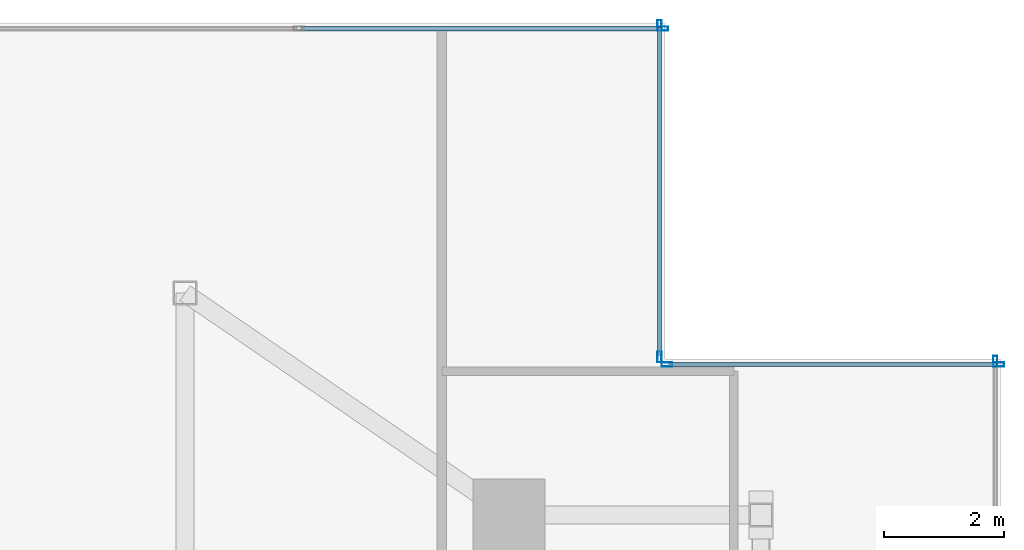
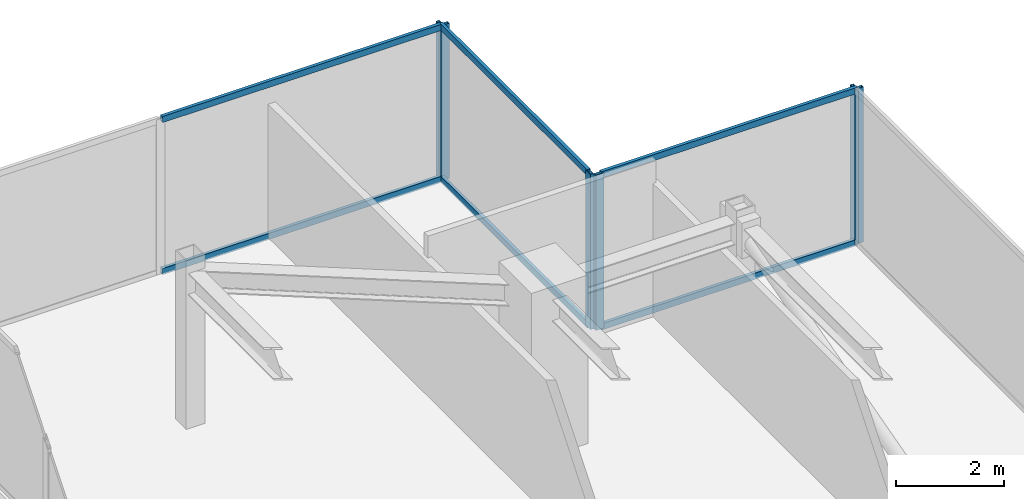
# One storey, part 21 of 25: 12 members, 4 elements without a shape of their own.
"""IFC4 building model written with IfcOpenShell, lengths in metres."""

from ifc_helpers import new_model, si_unit, direction, frame, origin, origin_2d, place, context, subcontext, project, spatial, hollow_rectangle, extrude, source, transform, mapped, material, material_profile, profile_set, type_object, type_shapes, element, aggregate, save


model = new_model("IFC4")

# Units and contexts
model_context = context("Model", 3, precision=1e-05, world=origin(), true_north=direction((0.0, 1.0)))
body_context = subcontext(model_context, "Body", "Model", "MODEL_VIEW")
ifc_project = project(units=[si_unit("LENGTHUNIT", "METRE"), si_unit("AREAUNIT", "SQUARE_METRE"), si_unit("VOLUMEUNIT", "CUBIC_METRE"), si_unit("PLANEANGLEUNIT", "RADIAN"), si_unit("MASSUNIT", "GRAM", prefix="KILO")], contexts=[model_context])

# Site, building, storey
site_placement = place(None, origin())
site = spatial("IfcSite", under=ifc_project, at=site_placement, CompositionType="ELEMENT")
building_placement = place(site_placement, origin())
building = spatial("IfcBuilding", under=site, at=building_placement, Name="Krantzveldt Concourse Tower", CompositionType="ELEMENT")
storey_placement = place(building_placement, frame((0.0, 0.0, 367.050048828125)))
storey = spatial("IfcBuildingStorey", under=building, at=storey_placement, Name="L90", CompositionType="ELEMENT", Elevation=367.050048828125)

# Curtain wall, member
ifc_material = material(Name="Anodised aluminium 6063-T6", Category="aluminium")
curtain_wall_type = type_object("IfcCurtainWallType", Name="CW7", PredefinedType="USERDEFINED", material=ifc_material)
curtain_wall_1_placement = place(storey_placement, origin())
curtain_wall_1 = element("IfcCurtainWall", 1, at=curtain_wall_1_placement, inside=storey, type_object=curtain_wall_type, Name="CW-L90-EAST-03", ObjectType="UNITISED CURTAIN WALL", PredefinedType="USERDEFINED")
ifc_material_profile_1 = material_profile(ifc_material, hollow_rectangle(XDim=0.070068359375, YDim=0.179931640625, WallThickness=0.0048828125, at=origin_2d()), Name="Anodised aluminium 6063-T6", Category="aluminium")
ifc_profile_set_1 = profile_set([ifc_material_profile_1], Name="Anodised aluminium 6063-T6 - ALU-MULL 180x70x5")
member_type_1 = type_object("IfcMemberType", Name="CW-MUL-180", PredefinedType="MULLION", material=ifc_profile_set_1)
shared_shape_1 = source(origin(), body_context, "Body", "SweptSolid", [
    extrude(hollow_rectangle(XDim=0.070068359375, YDim=0.179931640625, WallThickness=0.0048828125, at=origin_2d()), origin(), (0.0, 0.0, 1.0), 3.5),
])
type_shapes(member_type_1, [shared_shape_1])
member_1_placement = place(storey_placement, frame((54.909912109375, 40.06494140625, 0.0), z_axis=(0.0, 0.0, 1.0), x_axis=(-1.0, 0.0, 0.0)))
member_1 = element("IfcMember", 2, at=member_1_placement, type_object=member_type_1, Name="CW-CRN mullion 5", PredefinedType="MULLION", context=body_context, shape_type="MappedRepresentation", body=[
    mapped(shared_shape_1, transform((0.0, 0.0, 0.0), x_axis=(1.0, 0.0, 0.0), y_axis=(0.0, 1.0, 0.0), z_axis=(0.0, 0.0, 1.0), scale=1.0)),
])
aggregate(curtain_wall_1, [member_1])

# Curtain wall, members
curtain_wall_2_placement = place(storey_placement, origin())
curtain_wall_2 = element("IfcCurtainWall", 3, at=curtain_wall_2_placement, inside=storey, type_object=curtain_wall_type, Name="CW-L90-EAST-04", ObjectType="UNITISED CURTAIN WALL", PredefinedType="USERDEFINED")
member_2_placement = place(storey_placement, frame((54.965087890625, 40.010009765625, 0.0), z_axis=(0.0, 0.0, 1.0), x_axis=(0.0, -1.0, 0.0)))
member_2 = element("IfcMember", 4, at=member_2_placement, type_object=member_type_1, Name="CW-CRN mullion 1", PredefinedType="MULLION", context=body_context, shape_type="MappedRepresentation", body=[
    mapped(shared_shape_1, transform((0.0, 0.0, 0.0), x_axis=(1.0, 0.0, 0.0), y_axis=(0.0, 1.0, 0.0), z_axis=(0.0, 0.0, 1.0), scale=1.0)),
])
member_3_placement = place(storey_placement, frame((49.43505859375, 40.010009765625, 0.0), z_axis=(0.0, 0.0, 1.0), x_axis=(0.0, -1.0, 0.0)))
member_3 = element("IfcMember", 5, at=member_3_placement, type_object=member_type_1, Name="CW-CRN mullion 2", PredefinedType="MULLION", context=body_context, shape_type="MappedRepresentation", body=[
    mapped(shared_shape_1, transform((0.0, 0.0, 0.0), x_axis=(1.0, 0.0, 0.0), y_axis=(0.0, 1.0, 0.0), z_axis=(0.0, 0.0, 1.0), scale=1.0)),
])

curtain_wall_3_placement = place(storey_placement, origin())
curtain_wall_3 = element("IfcCurtainWall", 6, at=curtain_wall_3_placement, inside=storey, type_object=curtain_wall_type, Name="CW-L90-EAST-05", ObjectType="UNITISED CURTAIN WALL", PredefinedType="USERDEFINED")
member_4_placement = place(storey_placement, frame((49.31005859375, 40.135009765625, 0.0), z_axis=(0.0, 0.0, 1.0), x_axis=(-1.0, 0.0, 0.0)))
member_4 = element("IfcMember", 7, at=member_4_placement, type_object=member_type_1, Name="CW-CRN mullion 1", PredefinedType="MULLION", context=body_context, shape_type="MappedRepresentation", body=[
    mapped(shared_shape_1, transform((0.0, 0.0, 0.0), x_axis=(1.0, 0.0, 0.0), y_axis=(0.0, 1.0, 0.0), z_axis=(0.0, 0.0, 1.0), scale=1.0)),
])
member_5_placement = place(storey_placement, frame((49.31005859375, 45.6650390625, 0.0), z_axis=(0.0, 0.0, 1.0), x_axis=(-1.0, 0.0, 0.0)))
member_5 = element("IfcMember", 8, at=member_5_placement, type_object=member_type_1, Name="CW-CRN mullion 2", PredefinedType="MULLION", context=body_context, shape_type="MappedRepresentation", body=[
    mapped(shared_shape_1, transform((0.0, 0.0, 0.0), x_axis=(1.0, 0.0, 0.0), y_axis=(0.0, 1.0, 0.0), z_axis=(0.0, 0.0, 1.0), scale=1.0)),
])

# Curtain wall, member
curtain_wall_4_placement = place(storey_placement, origin())
curtain_wall_4 = element("IfcCurtainWall", 9, at=curtain_wall_4_placement, inside=storey, type_object=curtain_wall_type, Name="CW-L90-EAST-06", ObjectType="UNITISED CURTAIN WALL", PredefinedType="USERDEFINED")
member_6_placement = place(storey_placement, frame((49.364990234375, 45.610107421875, 0.0), z_axis=(0.0, 0.0, 1.0), x_axis=(0.0, -1.0, 0.0)))
member_6 = element("IfcMember", 10, at=member_6_placement, type_object=member_type_1, Name="CW-CRN mullion 1", PredefinedType="MULLION", context=body_context, shape_type="MappedRepresentation", body=[
    mapped(shared_shape_1, transform((0.0, 0.0, 0.0), x_axis=(1.0, 0.0, 0.0), y_axis=(0.0, 1.0, 0.0), z_axis=(0.0, 0.0, 1.0), scale=1.0)),
])

# Member
ifc_material_profile_2 = material_profile(ifc_material, hollow_rectangle(XDim=0.070068359375, YDim=0.139892578125, WallThickness=0.0048828125, at=origin_2d()), Name="Anodised aluminium 6063-T6", Category="aluminium")
ifc_profile_set_2 = profile_set([ifc_material_profile_2], Name="Anodised aluminium 6063-T6 - ALU-TRAN 140x70x5")
member_type_2 = type_object("IfcMemberType", Name="CW-TRN-150", PredefinedType="USERDEFINED", material=ifc_profile_set_2)
shared_shape_2 = source(origin(), body_context, "Body", "SweptSolid", [
    extrude(hollow_rectangle(XDim=0.070068359375, YDim=0.139892578125, WallThickness=0.0048828125, at=origin_2d()), origin(), (0.0, 0.0, 1.0), 5.4599609375),
])
member_7_placement = place(storey_placement, frame((54.929931640625, 40.010009765625, 0.034912109375), z_axis=(-1.0, 0.0, 0.0), x_axis=(0.0, -1.0, 0.0)))
member_7 = element("IfcMember", 11, at=member_7_placement, type_object=member_type_2, Name="CW-CRN transom 1.1", ObjectType="TRANSOM", PredefinedType="USERDEFINED", context=body_context, shape_type="MappedRepresentation", body=[
    mapped(shared_shape_2, transform((0.0, 0.0, 0.0), x_axis=(1.0, 0.0, 0.0), y_axis=(0.0, 1.0, 0.0), z_axis=(0.0, 0.0, 1.0), scale=1.0)),
])

member_8_placement = place(storey_placement, frame((54.929931640625, 40.010009765625, 3.46484375), z_axis=(-1.0, 0.0, 0.0), x_axis=(0.0, -1.0, 0.0)))
member_8 = element("IfcMember", 12, at=member_8_placement, type_object=member_type_2, Name="CW-CRN transom 1.2", ObjectType="TRANSOM", PredefinedType="USERDEFINED", context=body_context, shape_type="MappedRepresentation", body=[
    mapped(shared_shape_2, transform((0.0, 0.0, 0.0), x_axis=(1.0, 0.0, 0.0), y_axis=(0.0, 1.0, 0.0), z_axis=(0.0, 0.0, 1.0), scale=1.0)),
])

aggregate(curtain_wall_2, [member_2, member_3, member_7, member_8])

member_9_placement = place(storey_placement, frame((49.31005859375, 40.169921875, 0.034912109375), z_axis=(0.0, 1.0, 0.0), x_axis=(-1.0, 0.0, 0.0)))
member_9 = element("IfcMember", 13, at=member_9_placement, type_object=member_type_2, Name="CW-CRN transom 1.1", ObjectType="TRANSOM", PredefinedType="USERDEFINED", context=body_context, shape_type="MappedRepresentation", body=[
    mapped(shared_shape_2, transform((0.0, 0.0, 0.0), x_axis=(1.0, 0.0, 0.0), y_axis=(0.0, 1.0, 0.0), z_axis=(0.0, 0.0, 1.0), scale=1.0)),
])

member_10_placement = place(storey_placement, frame((49.31005859375, 40.169921875, 3.46484375), z_axis=(0.0, 1.0, 0.0), x_axis=(-1.0, 0.0, 0.0)))
member_10 = element("IfcMember", 14, at=member_10_placement, type_object=member_type_2, Name="CW-CRN transom 1.2", ObjectType="TRANSOM", PredefinedType="USERDEFINED", context=body_context, shape_type="MappedRepresentation", body=[
    mapped(shared_shape_2, transform((0.0, 0.0, 0.0), x_axis=(1.0, 0.0, 0.0), y_axis=(0.0, 1.0, 0.0), z_axis=(0.0, 0.0, 1.0), scale=1.0)),
])

aggregate(curtain_wall_3, [member_4, member_5, member_9, member_10])

shared_shape_3 = source(origin(), body_context, "Body", "SweptSolid", [
    extrude(hollow_rectangle(XDim=0.070068359375, YDim=0.139892578125, WallThickness=0.0048828125, at=origin_2d()), origin(), (0.0, 0.0, 1.0), 5.9951171875),
])
type_shapes(member_type_2, [shared_shape_2, shared_shape_3])
member_11_placement = place(storey_placement, frame((49.330078125, 45.610107421875, 0.034912109375), z_axis=(-1.0, 0.0, 0.0), x_axis=(0.0, -1.0, 0.0)))
member_11 = element("IfcMember", 15, at=member_11_placement, type_object=member_type_2, Name="CW-CRN transom 1.1", ObjectType="TRANSOM", PredefinedType="USERDEFINED", context=body_context, shape_type="MappedRepresentation", body=[
    mapped(shared_shape_3, transform((0.0, 0.0, 0.0), x_axis=(1.0, 0.0, 0.0), y_axis=(0.0, 1.0, 0.0), z_axis=(0.0, 0.0, 1.0), scale=1.0)),
])

member_12_placement = place(storey_placement, frame((49.330078125, 45.610107421875, 3.46484375), z_axis=(-1.0, 0.0, 0.0), x_axis=(0.0, -1.0, 0.0)))
member_12 = element("IfcMember", 16, at=member_12_placement, type_object=member_type_2, Name="CW-CRN transom 1.2", ObjectType="TRANSOM", PredefinedType="USERDEFINED", context=body_context, shape_type="MappedRepresentation", body=[
    mapped(shared_shape_3, transform((0.0, 0.0, 0.0), x_axis=(1.0, 0.0, 0.0), y_axis=(0.0, 1.0, 0.0), z_axis=(0.0, 0.0, 1.0), scale=1.0)),
])

aggregate(curtain_wall_4, [member_6, member_11, member_12])

save(model, "model.ifc")
